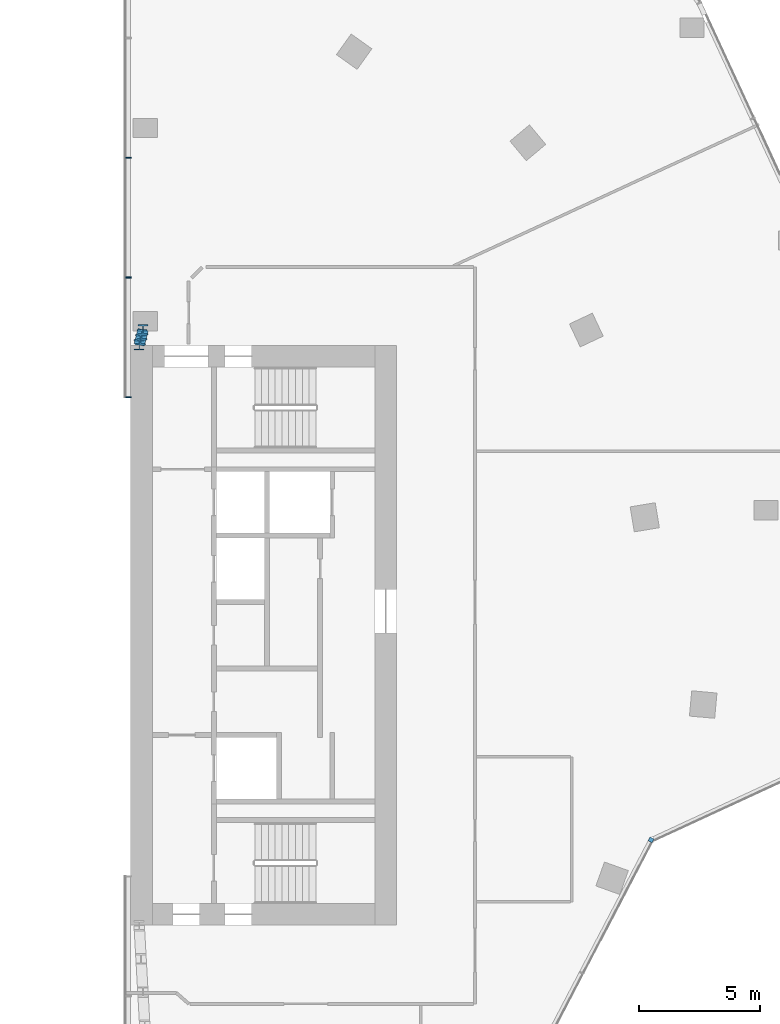
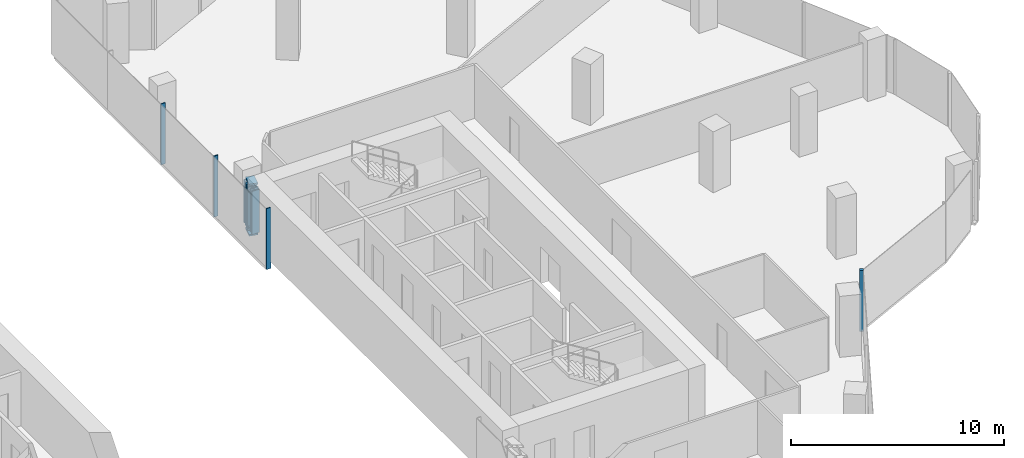
# One storey, part 7 of 23: 10 members, 2 elements without a shape of their own.
"""IFC4 building model written with IfcOpenShell, lengths in metres."""

from ifc_helpers import new_model, si_unit, direction, frame, origin, origin_2d, place, context, subcontext, project, spatial, rectangle, i_section, extrude, material, material_profile, profile_set, type_object, element, aggregate, save


model = new_model("IFC4")

# Units and contexts
model_context = context("Model", 3, precision=1e-05, world=origin(), true_north=direction((0.0, 1.0)))
body_context = subcontext(model_context, "Body", "Model", "MODEL_VIEW")
ifc_project = project(units=[si_unit("LENGTHUNIT", "METRE"), si_unit("AREAUNIT", "SQUARE_METRE"), si_unit("VOLUMEUNIT", "CUBIC_METRE"), si_unit("PLANEANGLEUNIT", "RADIAN"), si_unit("MASSUNIT", "GRAM", prefix="KILO")], contexts=[model_context])

# Site, building, storey
site_placement = place(None, origin())
site = spatial("IfcSite", under=ifc_project, at=site_placement, CompositionType="ELEMENT")
building_placement = place(site_placement, origin())
building = spatial("IfcBuilding", under=site, at=building_placement, Name="Orlundy Tower", CompositionType="ELEMENT")
storey_placement = place(building_placement, frame((0.0, 0.0, 257.0)))
storey = spatial("IfcBuildingStorey", under=building, at=storey_placement, Name="L68", CompositionType="ELEMENT", Elevation=257.0)

# Curtain wall, member
ifc_material_1 = material(Name="Aluminium bronze anodised", Category="aluminium")
curtain_wall_type = type_object("IfcCurtainWallType", Name="CW1 wall", PredefinedType="NOTDEFINED", material=ifc_material_1)
curtain_wall_1_placement = place(storey_placement, origin())
curtain_wall_1 = element("IfcCurtainWall", 1, at=curtain_wall_1_placement, inside=storey, type_object=curtain_wall_type, Name="CW1 run 111", PredefinedType="NOTDEFINED")
ifc_material_2 = material(Name="Aluminium bronze anodised", Category="aluminium")
ifc_material_profile_1 = material_profile(ifc_material_2, rectangle(XDim=0.179931640625, YDim=0.179931640625, at=origin_2d()), Name="CW1 corner post 180x180")
ifc_profile_set_1 = profile_set([ifc_material_profile_1], Name="Aluminium bronze anodised")
member_type_1 = type_object("IfcMemberType", Name="CW1 corner post 180x180", PredefinedType="MULLION", material=ifc_profile_set_1)
member_1_placement = place(storey_placement, frame((29.534423828125, -8.46875, -0.39990234375), z_axis=(0.0, 0.0, 1.0), x_axis=(0.885660617608, -0.464333145939, 0.0)))
member_1 = element("IfcMember", 2, at=member_1_placement, type_object=member_type_1, Name="CW1 mullion 16", PredefinedType="MULLION", context=body_context, shape_type="SweptSolid", body=[
    extrude(rectangle(XDim=0.179931640625, YDim=0.179931640625, at=origin_2d()), origin(), (0.0, 0.0, 1.0), 3.5),
])
aggregate(curtain_wall_1, [member_1])

# Curtain wall, members
curtain_wall_2_placement = place(storey_placement, origin())
curtain_wall_2 = element("IfcCurtainWall", 3, at=curtain_wall_2_placement, inside=storey, type_object=curtain_wall_type, Name="CW1 run 118", PredefinedType="NOTDEFINED")
ifc_material_3 = material(Name="Aluminium bronze anodised", Category="aluminium")
ifc_material_profile_2 = material_profile(ifc_material_3, rectangle(XDim=0.239990234375, YDim=0.050048828125, at=origin_2d()), Name="CW6 mullion 50x240")
ifc_profile_set_2 = profile_set([ifc_material_profile_2], Name="Aluminium bronze anodised")
member_type_2 = type_object("IfcMemberType", Name="CW6 mullion 50x240", PredefinedType="MULLION", material=ifc_profile_set_2)
member_2_placement = place(storey_placement, frame((7.909912109375, 9.8515625, -0.39990234375), z_axis=(0.0, 0.0, 1.0), x_axis=(-1.0, 0.0, 0.0)))
member_2 = element("IfcMember", 4, at=member_2_placement, type_object=member_type_2, Name="CW6 mullion 36", PredefinedType="MULLION", context=body_context, shape_type="SweptSolid", body=[
    extrude(rectangle(XDim=0.239990234375, YDim=0.050048828125, at=origin_2d()), origin(), (0.0, 0.0, 1.0), 3.5),
])
member_3_placement = place(storey_placement, frame((7.909912109375, 14.808349609375, -0.39990234375), z_axis=(0.0, 0.0, 1.0), x_axis=(-1.0, 0.0, 0.0)))
member_3 = element("IfcMember", 5, at=member_3_placement, type_object=member_type_2, Name="CW6 mullion 37", PredefinedType="MULLION", context=body_context, shape_type="SweptSolid", body=[
    extrude(rectangle(XDim=0.239990234375, YDim=0.050048828125, at=origin_2d()), origin(), (0.0, 0.0, 1.0), 3.5),
])
member_4_placement = place(storey_placement, frame((7.909912109375, 19.765380859375, -0.39990234375), z_axis=(0.0, 0.0, 1.0), x_axis=(-1.0, 0.0, 0.0)))
member_4 = element("IfcMember", 6, at=member_4_placement, type_object=member_type_2, Name="CW6 mullion 38", PredefinedType="MULLION", context=body_context, shape_type="SweptSolid", body=[
    extrude(rectangle(XDim=0.239990234375, YDim=0.050048828125, at=origin_2d()), origin(), (0.0, 0.0, 1.0), 3.5),
])
aggregate(curtain_wall_2, [member_2, member_3, member_4])

# Members
ifc_material_4 = material(Name="Steel ASTM A992 Gr 50", Category="steel")
ifc_material_profile_3 = material_profile(ifc_material_4, i_section(OverallWidth=0.43212890625, OverallDepth=0.497802734375, WebThickness=0.0556640625, FlangeThickness=0.0888671875, at=origin_2d()), Name="W14X500")
ifc_profile_set_3 = profile_set([ifc_material_profile_3], Name="Steel ASTM A992 Gr 50")
member_type_3 = type_object("IfcMemberType", Name="PORTAL EDGE TRUSS chord W14X500", PredefinedType="CHORD", material=ifc_profile_set_3)
for number, where, z_axis, x_axis, name in (
    (7, (8.35009765625, 12.02001953125, 0.28466796875), (0.247031311842, 0.969007497891, 0.0), (-0.969007497891, 0.247031311842, 0.0), "Portal edge truss bottom chord PE-EN"),
    (8, (8.35009765625, 12.02001953125, 2.765380859375), (0.247031311842, 0.969007497891, 0.0), (-0.969007497891, 0.247031311842, 0.0), "Portal edge truss top chord PE-EN"),
):
    element("IfcMember", number, at=place(storey_placement, frame(where, z_axis=z_axis, x_axis=x_axis)), inside=storey, type_object=member_type_3, Name=name, PredefinedType="CHORD", context=body_context, shape_type="SweptSolid", body=[
        extrude(i_section(OverallWidth=0.43212890625, OverallDepth=0.497802734375, WebThickness=0.0556640625, FlangeThickness=0.0888671875, at=origin_2d()), origin(), (0.0, 0.0, 1.0), 0.6513671875),
    ])
ifc_material_5 = material(Name="Steel ASTM A992 Gr 50", Category="steel")
ifc_material_profile_4 = material_profile(ifc_material_5, i_section(OverallWidth=0.412109375, OverallDepth=0.434814453125, WebThickness=0.035888671875, FlangeThickness=0.057373046875, at=origin_2d()), Name="W14X311")
ifc_profile_set_4 = profile_set([ifc_material_profile_4], Name="Steel ASTM A992 Gr 50")
member_type_4 = type_object("IfcMemberType", Name="PORTAL EDGE TRUSS post W14X311", PredefinedType="POST", material=ifc_profile_set_4)
for number, where, z_axis, x_axis, name in (
    (9, (8.35009765625, 12.02001953125, 0.28466796875), (0.0, 0.0, 1.0), (1.0, 0.0, 0.0), "Portal edge truss post PE-EN-0"),
    (10, (8.40380859375, 12.23046875, 0.28466796875), (0.0, 0.0, 1.0), (1.0, 0.0, 0.0), "Portal edge truss post PE-EN-1"),
    (11, (8.457275390625, 12.44091796875, 0.28466796875), (0.0, 0.0, 1.0), (1.0, 0.0, 0.0), "Portal edge truss post PE-EN-2"),
    (12, (8.510986328125, 12.651123046875, 0.28466796875), (0.0, 0.0, 1.0), (1.0, 0.0, 0.0), "Portal edge truss post PE-EN-3"),
):
    element("IfcMember", number, at=place(storey_placement, frame(where, z_axis=z_axis, x_axis=x_axis)), inside=storey, type_object=member_type_4, Name=name, PredefinedType="POST", context=body_context, shape_type="SweptSolid", body=[
        extrude(i_section(OverallWidth=0.412109375, OverallDepth=0.434814453125, WebThickness=0.035888671875, FlangeThickness=0.057373046875, at=origin_2d()), origin(), (0.0, 0.0, 1.0), 2.480712890625),
    ])

save(model, "model.ifc")
